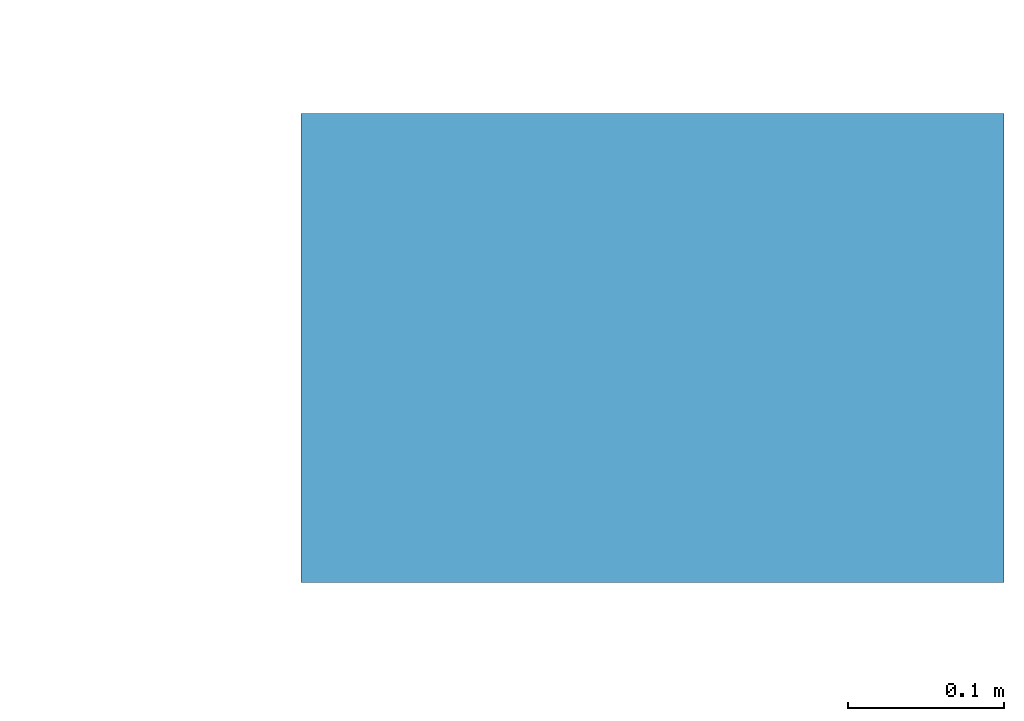
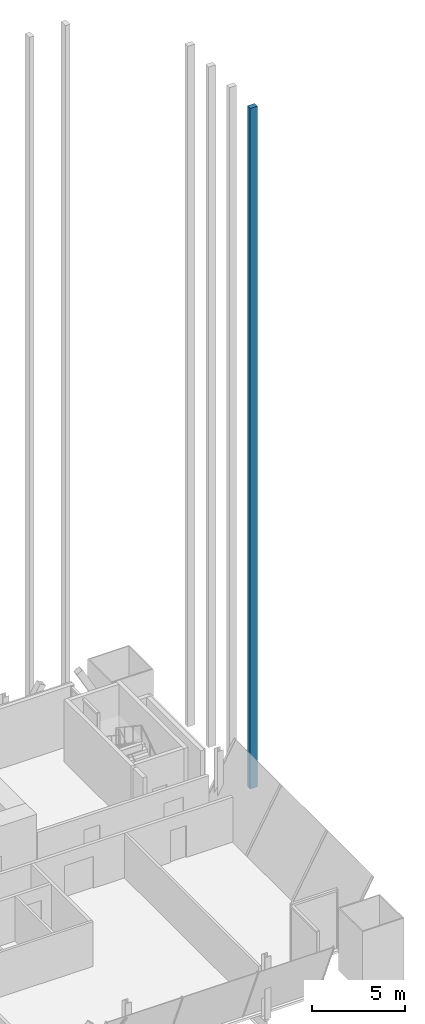
# One storey, part 20 of 29: 1 member, 1 element without a shape of its own.
"""IFC4 building model written with IfcOpenShell, lengths in metres."""

from ifc_helpers import new_model, si_unit, direction, frame, origin, origin_2d, place, context, subcontext, project, spatial, rectangle, extrude, material, material_profile, profile_set, type_object, element, aggregate, save


model = new_model("IFC4")

# Units and contexts
model_context = context("Model", 3, precision=1e-05, world=origin(), true_north=direction((0.0, 1.0)))
body_context = subcontext(model_context, "Body", "Model", "MODEL_VIEW")
ifc_project = project(units=[si_unit("LENGTHUNIT", "METRE"), si_unit("AREAUNIT", "SQUARE_METRE"), si_unit("VOLUMEUNIT", "CUBIC_METRE"), si_unit("PLANEANGLEUNIT", "RADIAN"), si_unit("MASSUNIT", "GRAM", prefix="KILO")], contexts=[model_context])

# Site, building, storey
site_placement = place(None, origin())
site = spatial("IfcSite", under=ifc_project, at=site_placement, CompositionType="ELEMENT")
building_placement = place(site_placement, origin())
building = spatial("IfcBuilding", under=site, at=building_placement, Name="Bicima Exchange Tower", CompositionType="ELEMENT")
storey_placement = place(building_placement, frame((0.0, 0.0, 190.89990234375)))
storey = spatial("IfcBuildingStorey", under=building, at=storey_placement, Name="L42", CompositionType="ELEMENT", Elevation=190.89990234375)

# Curtain wall, member
ifc_material = material(Name="Anodised bronze aluminium", Category="aluminium")
curtain_wall_type = type_object("IfcCurtainWallType", Name="Rear blade screen", PredefinedType="NOTDEFINED", material=ifc_material)
curtain_wall_placement = place(storey_placement, origin())
curtain_wall = element("IfcCurtainWall", 1, at=curtain_wall_placement, inside=storey, type_object=curtain_wall_type, Name="End blade screen L42-L52", PredefinedType="NOTDEFINED")
ifc_material_profile = material_profile(ifc_material, rectangle(XDim=0.449951171875, YDim=0.300048828125, at=origin_2d()))
ifc_profile_set = profile_set([ifc_material_profile], Name="Anodised bronze aluminium")
member_type = type_object("IfcMemberType", Name="Rear blade fin 450 x 300", PredefinedType="USERDEFINED", material=ifc_profile_set)
member_placement = place(storey_placement, frame((36.324951171875, -11.5, 0.0), z_axis=(0.0, 0.0, 1.0), x_axis=(1.0, 0.0, 0.0)))
member = element("IfcMember", 2, at=member_placement, type_object=member_type, Name="End blade fin L42-L52 1", ObjectType="FIN", PredefinedType="USERDEFINED", context=body_context, shape_type="SweptSolid", body=[
    extrude(rectangle(XDim=0.449951171875, YDim=0.300048828125, at=origin_2d()), origin(), (0.0, 0.0, 1.0), 44.900146484375),
])
aggregate(curtain_wall, [member])

save(model, "model.ifc")
